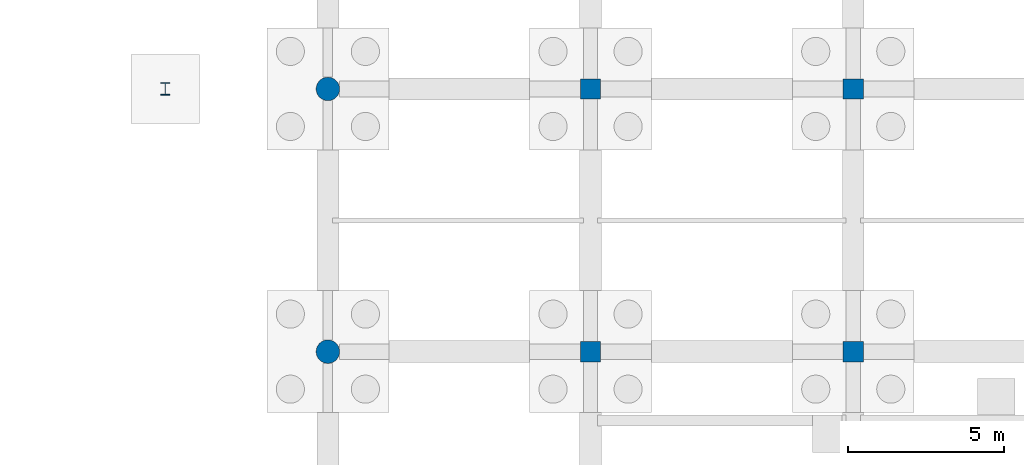
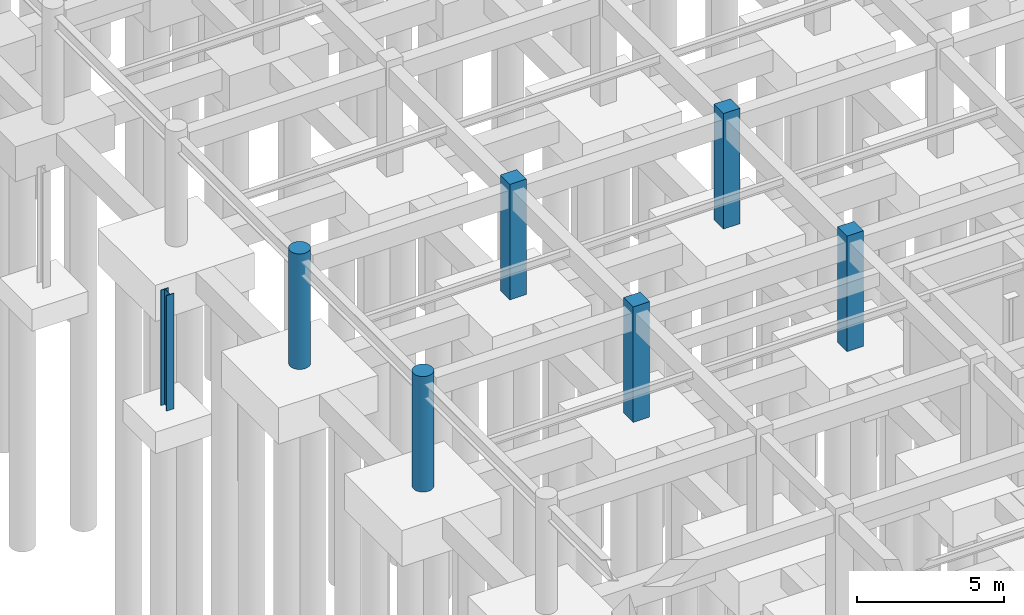
# One storey, part 15 of 49: 7 columns.
"""IFC4 building model written with IfcOpenShell, lengths in metres."""

from ifc_helpers import new_model, si_unit, direction, frame, origin, origin_2d, place, context, subcontext, project, spatial, rectangle, circle, i_section, extrude, material, material_profile, profile_set, type_object, element, save


model = new_model("IFC4")

# Units and contexts
model_context = context("Model", 3, precision=1e-05, world=origin(), true_north=direction((0.0, 1.0)))
body_context = subcontext(model_context, "Body", "Model", "MODEL_VIEW")
ifc_project = project(units=[si_unit("LENGTHUNIT", "METRE"), si_unit("AREAUNIT", "SQUARE_METRE"), si_unit("VOLUMEUNIT", "CUBIC_METRE"), si_unit("PLANEANGLEUNIT", "RADIAN"), si_unit("MASSUNIT", "GRAM", prefix="KILO")], contexts=[model_context])

# Site, building, storey
site_placement = place(None, origin())
site = spatial("IfcSite", under=ifc_project, at=site_placement, CompositionType="ELEMENT")
building_placement = place(site_placement, origin())
building = spatial("IfcBuilding", under=site, at=building_placement, Name="Krzemoval Escarpment Law Courts", CompositionType="ELEMENT")
storey_placement = place(building_placement, frame((0.0, 0.0, -4.800048828125)))
storey = spatial("IfcBuildingStorey", under=building, at=storey_placement, Name="B1", CompositionType="ELEMENT", Elevation=-4.800048828125)

# Columns
ifc_material_1 = material(Name="Concrete C40/50", Category="concrete")
ifc_material_profile_1 = material_profile(ifc_material_1, rectangle(XDim=0.64990234375, YDim=0.64990234375, at=origin_2d()), Name="RC 650x650")
ifc_profile_set_1 = profile_set([ifc_material_profile_1], Name="Concrete C40/50")
column_type_1 = type_object("IfcColumnType", Name="COL-RC-650", PredefinedType="COLUMN", material=ifc_profile_set_1)
for number, where, z_axis, x_axis, name in (
    (1, (16.800048828125, 49.199951171875, 0.0), (0.0, 0.0, 1.0), (1.0, 0.0, 0.0), "Column FC-B1-0033"),
    (2, (16.800048828125, 57.60009765625, 0.0), (0.0, 0.0, 1.0), (1.0, 0.0, 0.0), "Column FC-B1-0034"),
    (3, (25.199951171875, 49.199951171875, 0.0), (0.0, 0.0, 1.0), (1.0, 0.0, 0.0), "Column FC-B1-0050"),
    (4, (25.199951171875, 57.60009765625, 0.0), (0.0, 0.0, 1.0), (1.0, 0.0, 0.0), "Column FC-B1-0051"),
):
    element("IfcColumn", number, at=place(storey_placement, frame(where, z_axis=z_axis, x_axis=x_axis)), inside=storey, type_object=column_type_1, Name=name, PredefinedType="COLUMN", context=body_context, shape_type="SweptSolid", body=[
        extrude(rectangle(XDim=0.64990234375, YDim=0.64990234375, at=origin_2d()), origin(), (0.0, 0.0, 1.0), 4.800048828125),
    ])
ifc_material_2 = material(Name="Concrete C40/50", Category="concrete")
ifc_material_profile_2 = material_profile(ifc_material_2, circle(Radius=0.375, at=origin_2d()), Name="RC D750")
ifc_profile_set_2 = profile_set([ifc_material_profile_2], Name="Concrete C40/50")
column_type_2 = type_object("IfcColumnType", Name="COL-RCD-750", PredefinedType="COLUMN", material=ifc_profile_set_2)
for number, where, z_axis, x_axis, name in (
    (5, (8.39990234375, 49.199951171875, 0.0), (0.0, 0.0, 1.0), (1.0, 0.0, 0.0), "Column FC-B1-0016"),
    (6, (8.39990234375, 57.60009765625, 0.0), (0.0, 0.0, 1.0), (1.0, 0.0, 0.0), "Column FC-B1-0017"),
):
    element("IfcColumn", number, at=place(storey_placement, frame(where, z_axis=z_axis, x_axis=x_axis)), inside=storey, type_object=column_type_2, Name=name, PredefinedType="COLUMN", context=body_context, shape_type="SweptSolid", body=[
        extrude(circle(Radius=0.375, at=origin_2d()), origin(), (0.0, 0.0, 1.0), 4.800048828125),
    ])
ifc_material_3 = material(Name="Steel S355", Category="steel")
ifc_material_profile_3 = material_profile(ifc_material_3, i_section(OverallWidth=0.300048828125, OverallDepth=0.39990234375, WebThickness=0.013427734375, FlangeThickness=0.02392578125, at=origin_2d()), Name="HEB 400")
ifc_profile_set_3 = profile_set([ifc_material_profile_3], Name="Steel S355")
column_type_3 = type_object("IfcColumnType", Name="COL-S355-HEB400", PredefinedType="COLUMN", material=ifc_profile_set_3)
column_placement = place(storey_placement, frame((3.199951171875, 57.60009765625, 0.0), z_axis=(0.0, 0.0, 1.0), x_axis=(1.0, 0.0, 0.0)))
element("IfcColumn", 7, at=column_placement, inside=storey, type_object=column_type_3, Name="Steel Column SC-001", PredefinedType="COLUMN", context=body_context, shape_type="SweptSolid", body=[
    extrude(i_section(OverallWidth=0.300048828125, OverallDepth=0.39990234375, WebThickness=0.013427734375, FlangeThickness=0.02392578125, at=origin_2d()), origin(), (0.0, 0.0, 1.0), 4.800048828125),
])

save(model, "model.ifc")
